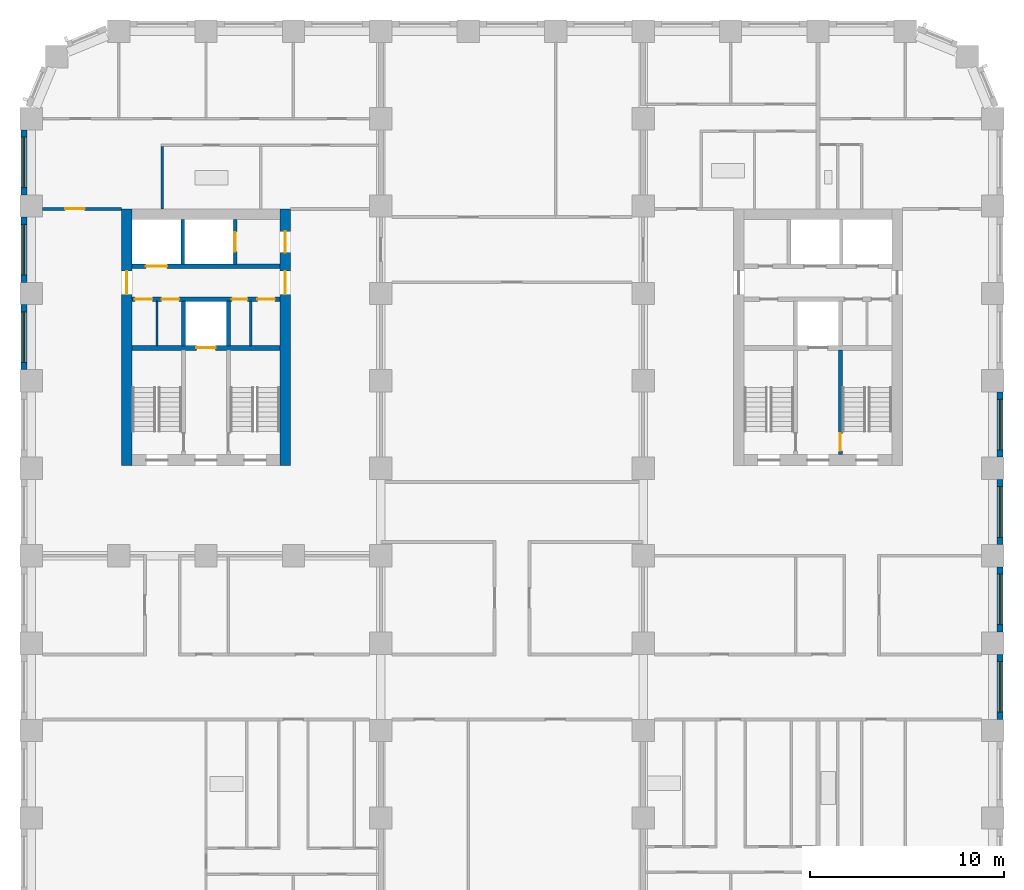
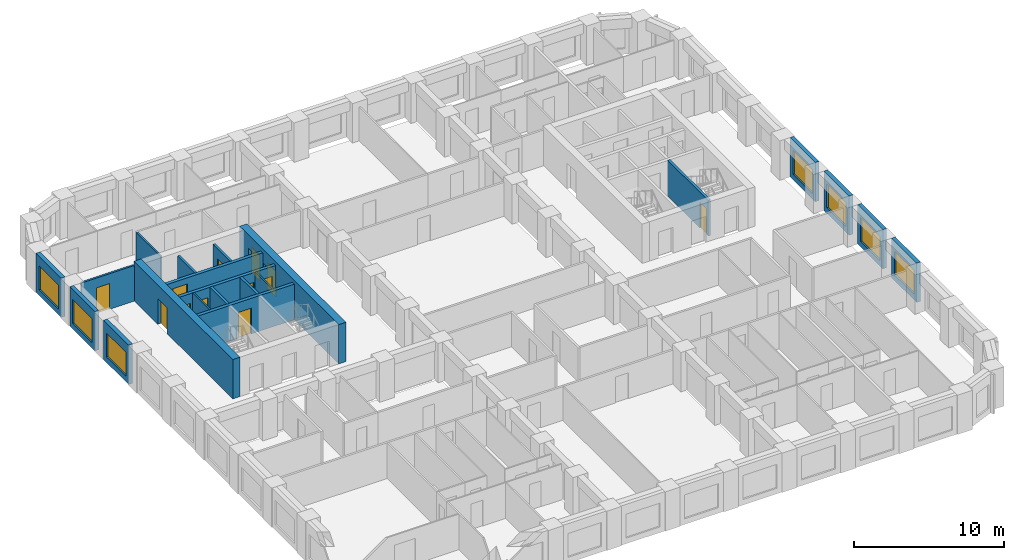
# One storey, part 6 of 12: 21 walls, 12 doors, 7 windows, 19 openings.
"""IFC4 building model written with IfcOpenShell, lengths in metres."""

from ifc_helpers import new_model, si_unit, direction, frame, frame_2d, origin, place, context, subcontext, project, spatial, rectangle, extrude, material, layer, layer_set, type_object, element, fill, save


model = new_model("IFC4")

# Units and contexts
model_context = context("Model", 3, precision=1e-05, world=origin(), true_north=direction((0.0, 1.0)))
body_context = subcontext(model_context, "Body", "Model", "MODEL_VIEW")
ifc_project = project(units=[si_unit("LENGTHUNIT", "METRE"), si_unit("AREAUNIT", "SQUARE_METRE"), si_unit("VOLUMEUNIT", "CUBIC_METRE"), si_unit("PLANEANGLEUNIT", "RADIAN"), si_unit("MASSUNIT", "GRAM", prefix="KILO")], contexts=[model_context])

# Site, building, storey
site_placement = place(None, origin())
site = spatial("IfcSite", under=ifc_project, at=site_placement, CompositionType="ELEMENT")
building_placement = place(site_placement, origin())
building = spatial("IfcBuilding", under=site, at=building_placement, Name="Girih Gate Residences", CompositionType="ELEMENT")
storey_placement = place(building_placement, frame((0.0, 0.0, 108.800048828125)))
storey = spatial("IfcBuildingStorey", under=building, at=storey_placement, Name="L30", CompositionType="ELEMENT", Elevation=108.800048828125)

# Wall, opening, door
ifc_material_1 = material(Name="Gypsum board on steel studs", Category="steel")
ifc_layer_1 = layer(ifc_material_1, 0.14990234375)
ifc_layer_set_1 = layer_set([ifc_layer_1], Name="Compartment wall 150 mm")
wall_type_1 = type_object("IfcWallType", Name="Compartment wall 150 mm", PredefinedType="PARTITIONING", material=ifc_layer_set_1)
wall_1_placement = place(storey_placement, frame((0.574951171875, 40.35009765625, 0.0), z_axis=(0.0, 0.0, 1.0), x_axis=(1.0, 0.0, 0.0)))
wall_1 = element("IfcWall", 1, at=wall_1_placement, inside=storey, type_object=wall_type_1, Name="L30 partition", PredefinedType="PARTITIONING", context=body_context, shape_type="SweptSolid", body=[
    extrude(rectangle(XDim=4.074951171875, YDim=0.14990234375, at=frame_2d((2.03759765625, 0.0))), origin(), (0.0, 0.0, 1.0), 2.89990234375),
])
opening_1_placement = place(wall_1_placement, frame((1.175048828125, 0.0, 0.0)))
opening_1 = element("IfcOpeningElement", 2, at=opening_1_placement, cuts=wall_1, Name="Opening A30-016", PredefinedType="OPENING", context=body_context, shape_type="SweptSolid", body=[
    extrude(rectangle(XDim=1.0, YDim=2.10009765625, at=frame_2d((0.5, 1.050048828125))), frame((0.0, 0.0849609375, 0.0), z_axis=(0.0, -1.0, 0.0), x_axis=(1.0, 0.0, 0.0)), (0.0, 0.0, 1.0), 0.169921875),
])
ifc_material_2 = material(Name="Timber, fire-rated core", Category="wood")
door_type_1 = type_object("IfcDoorType", Name="Flat entrance door 1000x2100 FD30S", OperationType="NOTDEFINED", PredefinedType="DOOR", material=ifc_material_2)
door_1_placement = place(opening_1_placement, origin())
door_1 = element("IfcDoor", 3, at=door_1_placement, inside=storey, type_object=door_type_1, Name="Door A30-016", OperationType="SINGLE_SWING_LEFT", OverallHeight=2.10009765625, OverallWidth=1.0, PredefinedType="DOOR", context=body_context, shape_type="SweptSolid", body=[
    extrude(rectangle(XDim=1.0, YDim=2.10009765625, at=frame_2d((0.5, 1.050048828125))), frame((0.0, 0.02490234375, 0.0), z_axis=(0.0, -1.0, 0.0), x_axis=(1.0, 0.0, 0.0)), (0.0, 0.0, 1.0), 0.050048828125),
])
fill(opening_1, door_1)

ifc_material_3 = material(Name="Concrete C60/75", Category="concrete")
ifc_layer_2 = layer(ifc_material_3, 0.550048828125)
ifc_layer_set_2 = layer_set([ifc_layer_2], Name="Core wall RC 550 Concrete C60/75")
wall_type_2 = type_object("IfcWallType", Name="Core wall RC 550 Concrete C60/75", PredefinedType="SOLIDWALL", material=ifc_layer_set_2)
wall_2_placement = place(storey_placement, frame((4.925048828125, 27.14990234375, 0.0), z_axis=(0.0, 0.0, 1.0), x_axis=(0.0, 1.0, 0.0)))
wall_2 = element("IfcWall", 4, at=wall_2_placement, inside=storey, type_object=wall_type_2, Name="Core wall W-W L30", PredefinedType="SOLIDWALL", context=body_context, shape_type="SweptSolid", body=[
    extrude(rectangle(XDim=13.2001953125, YDim=0.550048828125, at=frame_2d((6.60009765625, 0.0))), origin(), (0.0, 0.0, 1.0), 3.199951171875),
])
opening_2_placement = place(wall_2_placement, frame((8.800048828125, 0.0, 0.0)))
opening_2 = element("IfcOpeningElement", 5, at=opening_2_placement, cuts=wall_2, Name="Opening D-L30-W-014", PredefinedType="OPENING", context=body_context, shape_type="SweptSolid", body=[
    extrude(rectangle(XDim=1.199951171875, YDim=2.10009765625, at=frame_2d((0.60009765625, 1.050048828125))), frame((0.0, 0.284912109375, 0.0), z_axis=(0.0, -1.0, 0.0), x_axis=(1.0, 0.0, 0.0)), (0.0, 0.0, 1.0), 0.570068359375),
])
ifc_material_4 = material(Name="Painted steel, fire-resisting", Category="steel")
door_type_2 = type_object("IfcDoorType", Name="Fire door 1200x2100", OperationType="SINGLE_SWING_LEFT", PredefinedType="DOOR", material=ifc_material_4)
door_2_placement = place(opening_2_placement, origin())
door_2 = element("IfcDoor", 6, at=door_2_placement, inside=storey, type_object=door_type_2, Name="L30 W core door ll-w", OperationType="SINGLE_SWING_LEFT", OverallHeight=2.10009765625, OverallWidth=1.199951171875, PredefinedType="DOOR", context=body_context, shape_type="SweptSolid", body=[
    extrude(rectangle(XDim=1.199951171875, YDim=2.10009765625, at=frame_2d((0.60009765625, 1.050048828125))), frame((0.0, 0.02490234375, 0.0), z_axis=(0.0, -1.0, 0.0), x_axis=(1.0, 0.0, 0.0)), (0.0, 0.0, 1.0), 0.050048828125),
])
fill(opening_2, door_2)

# Wall, openings, doors
wall_3_placement = place(storey_placement, frame((13.074951171875, 27.14990234375, 0.0), z_axis=(0.0, 0.0, 1.0), x_axis=(0.0, 1.0, 0.0)))
wall_3 = element("IfcWall", 7, at=wall_3_placement, inside=storey, type_object=wall_type_2, Name="Core wall W-E L30", PredefinedType="SOLIDWALL", context=body_context, shape_type="SweptSolid", body=[
    extrude(rectangle(XDim=13.2001953125, YDim=0.550048828125, at=frame_2d((6.60009765625, 0.0))), origin(), (0.0, 0.0, 1.0), 3.199951171875),
])
opening_3_placement = place(wall_3_placement, frame((10.949951171875, 0.0, 0.0)))
opening_3 = element("IfcOpeningElement", 8, at=opening_3_placement, cuts=wall_3, Name="Opening D-L30-W-013", PredefinedType="OPENING", context=body_context, shape_type="SweptSolid", body=[
    extrude(rectangle(XDim=1.10009765625, YDim=2.10009765625, at=frame_2d((0.550048828125, 1.050048828125))), frame((0.0, 0.284912109375, 0.0), z_axis=(0.0, -1.0, 0.0), x_axis=(1.0, 0.0, 0.0)), (0.0, 0.0, 1.0), 0.570068359375),
])
opening_4_placement = place(wall_3_placement, frame((8.800048828125, 0.0, 0.0)))
opening_4 = element("IfcOpeningElement", 9, at=opening_4_placement, cuts=wall_3, Name="Opening D-L30-W-015", PredefinedType="OPENING", context=body_context, shape_type="SweptSolid", body=[
    extrude(rectangle(XDim=1.199951171875, YDim=2.10009765625, at=frame_2d((0.60009765625, 1.050048828125))), frame((0.0, 0.284912109375, 0.0), z_axis=(0.0, -1.0, 0.0), x_axis=(1.0, 0.0, 0.0)), (0.0, 0.0, 1.0), 0.570068359375),
])
door_type_3 = type_object("IfcDoorType", Name="Fire door 1100x2100", OperationType="SINGLE_SWING_LEFT", PredefinedType="DOOR", material=ifc_material_4)
door_3_placement = place(opening_3_placement, origin())
door_3 = element("IfcDoor", 10, at=door_3_placement, inside=storey, type_object=door_type_3, Name="L30 W core door ffl2-e", OperationType="SINGLE_SWING_LEFT", OverallHeight=2.10009765625, OverallWidth=1.10009765625, PredefinedType="DOOR", context=body_context, shape_type="SweptSolid", body=[
    extrude(rectangle(XDim=1.10009765625, YDim=2.10009765625, at=frame_2d((0.550048828125, 1.050048828125))), frame((0.0, 0.02490234375, 0.0), z_axis=(0.0, -1.0, 0.0), x_axis=(1.0, 0.0, 0.0)), (0.0, 0.0, 1.0), 0.050048828125),
])
fill(opening_3, door_3)
door_4_placement = place(opening_4_placement, origin())
door_4 = element("IfcDoor", 11, at=door_4_placement, inside=storey, type_object=door_type_2, Name="L30 W core door ll-e", OperationType="SINGLE_SWING_LEFT", OverallHeight=2.10009765625, OverallWidth=1.199951171875, PredefinedType="DOOR", context=body_context, shape_type="SweptSolid", body=[
    extrude(rectangle(XDim=1.199951171875, YDim=2.10009765625, at=frame_2d((0.60009765625, 1.050048828125))), frame((0.0, 0.02490234375, 0.0), z_axis=(0.0, -1.0, 0.0), x_axis=(1.0, 0.0, 0.0)), (0.0, 0.0, 1.0), 0.050048828125),
])
fill(opening_4, door_4)

# Wall, opening, door
ifc_material_5 = material(Name="Concrete C40/50", Category="concrete")
ifc_layer_3 = layer(ifc_material_5, 0.25)
ifc_layer_set_3 = layer_set([ifc_layer_3], Name="Lift shaft wall 250")
wall_type_3 = type_object("IfcWallType", Name="Lift shaft wall 250", PredefinedType="SOLIDWALL", material=ifc_layer_set_3)
wall_4_placement = place(storey_placement, frame((5.199951171875, 33.199951171875, 0.0), z_axis=(0.0, 0.0, 1.0), x_axis=(1.0, 0.0, 0.0)))
wall_4 = element("IfcWall", 12, at=wall_4_placement, inside=storey, type_object=wall_type_3, Name="L30 W core wall H1", PredefinedType="SOLIDWALL", context=body_context, shape_type="SweptSolid", body=[
    extrude(rectangle(XDim=7.60009765625, YDim=0.25, at=frame_2d((3.800048828125, 0.0))), origin(), (0.0, 0.0, 1.0), 2.89990234375),
])
opening_5_placement = place(wall_4_placement, frame((3.300048828125, 0.0, 0.0)))
opening_5 = element("IfcOpeningElement", 13, at=opening_5_placement, cuts=wall_4, Name="Opening D-L30-W-005", PredefinedType="OPENING", context=body_context, shape_type="SweptSolid", body=[
    extrude(rectangle(XDim=1.0, YDim=2.10009765625, at=frame_2d((0.5, 1.050048828125))), frame((0.0, 0.135009765625, 0.0), z_axis=(0.0, -1.0, 0.0), x_axis=(1.0, 0.0, 0.0)), (0.0, 0.0, 1.0), 0.27001953125),
])
ifc_material_6 = material(Name="Stainless steel, fire-resisting", Category="steel")
door_type_4 = type_object("IfcDoorType", Name="Firefighting lift landing door 1000x2100", OperationType="SLIDING_TO_LEFT", PredefinedType="DOOR", material=ifc_material_6)
door_5_placement = place(opening_5_placement, origin())
door_5 = element("IfcDoor", 14, at=door_5_placement, inside=storey, type_object=door_type_4, Name="L30 lift FF-W landing door", OperationType="SLIDING_TO_LEFT", OverallHeight=2.10009765625, OverallWidth=1.0, PredefinedType="DOOR", context=body_context, shape_type="SweptSolid", body=[
    extrude(rectangle(XDim=1.0, YDim=2.10009765625, at=frame_2d((0.5, 1.050048828125))), frame((0.0, 0.02490234375, 0.0), z_axis=(0.0, -1.0, 0.0), x_axis=(1.0, 0.0, 0.0)), (0.0, 0.0, 1.0), 0.050048828125),
])
fill(opening_5, door_5)

# Wall, openings, doors
wall_5_placement = place(storey_placement, frame((5.199951171875, 35.699951171875, 0.0), z_axis=(0.0, 0.0, 1.0), x_axis=(1.0, 0.0, 0.0)))
wall_5 = element("IfcWall", 15, at=wall_5_placement, inside=storey, type_object=wall_type_3, Name="L30 W core wall H2", PredefinedType="SOLIDWALL", context=body_context, shape_type="SweptSolid", body=[
    extrude(rectangle(XDim=7.60009765625, YDim=0.25, at=frame_2d((3.800048828125, 0.0))), origin(), (0.0, 0.0, 1.0), 2.89990234375),
])
opening_6_placement = place(wall_5_placement, frame((0.137451171875, 0.0, 0.0)))
opening_6 = element("IfcOpeningElement", 16, at=opening_6_placement, cuts=wall_5, Name="Opening D-L30-W-006", PredefinedType="OPENING", context=body_context, shape_type="SweptSolid", body=[
    extrude(rectangle(XDim=0.89990234375, YDim=2.10009765625, at=frame_2d((0.449951171875, 1.050048828125))), frame((0.0, 0.135009765625, 0.0), z_axis=(0.0, -1.0, 0.0), x_axis=(1.0, 0.0, 0.0)), (0.0, 0.0, 1.0), 0.27001953125),
])
opening_7_placement = place(wall_5_placement, frame((1.512451171875, 0.0, 0.0)))
opening_7 = element("IfcOpeningElement", 17, at=opening_7_placement, cuts=wall_5, Name="Opening D-L30-W-007", PredefinedType="OPENING", context=body_context, shape_type="SweptSolid", body=[
    extrude(rectangle(XDim=0.89990234375, YDim=2.10009765625, at=frame_2d((0.449951171875, 1.050048828125))), frame((0.0, 0.135009765625, 0.0), z_axis=(0.0, -1.0, 0.0), x_axis=(1.0, 0.0, 0.0)), (0.0, 0.0, 1.0), 0.27001953125),
])
opening_8_placement = place(wall_5_placement, frame((5.125, 0.0, 0.0)))
opening_8 = element("IfcOpeningElement", 18, at=opening_8_placement, cuts=wall_5, Name="Opening D-L30-W-008", PredefinedType="OPENING", context=body_context, shape_type="SweptSolid", body=[
    extrude(rectangle(XDim=0.800048828125, YDim=2.10009765625, at=frame_2d((0.39990234375, 1.050048828125))), frame((0.0, 0.135009765625, 0.0), z_axis=(0.0, -1.0, 0.0), x_axis=(1.0, 0.0, 0.0)), (0.0, 0.0, 1.0), 0.27001953125),
])
opening_9_placement = place(wall_5_placement, frame((6.449951171875, 0.0, 0.0)))
opening_9 = element("IfcOpeningElement", 19, at=opening_9_placement, cuts=wall_5, Name="Opening D-L30-W-009", PredefinedType="OPENING", context=body_context, shape_type="SweptSolid", body=[
    extrude(rectangle(XDim=0.89990234375, YDim=2.10009765625, at=frame_2d((0.449951171875, 1.050048828125))), frame((0.0, 0.135009765625, 0.0), z_axis=(0.0, -1.0, 0.0), x_axis=(1.0, 0.0, 0.0)), (0.0, 0.0, 1.0), 0.27001953125),
])
door_type_5 = type_object("IfcDoorType", Name="Fire door 800x2100", OperationType="SINGLE_SWING_LEFT", PredefinedType="DOOR", material=ifc_material_4)
door_6_placement = place(opening_8_placement, origin())
door_6 = element("IfcDoor", 20, at=door_6_placement, inside=storey, type_object=door_type_5, Name="L30 W comms room door", OperationType="SINGLE_SWING_LEFT", OverallHeight=2.10009765625, OverallWidth=0.800048828125, PredefinedType="DOOR", context=body_context, shape_type="SweptSolid", body=[
    extrude(rectangle(XDim=0.800048828125, YDim=2.10009765625, at=frame_2d((0.39990234375, 1.050048828125))), frame((0.0, 0.02490234375, 0.0), z_axis=(0.0, -1.0, 0.0), x_axis=(1.0, 0.0, 0.0)), (0.0, 0.0, 1.0), 0.050048828125),
])
fill(opening_8, door_6)
door_type_6 = type_object("IfcDoorType", Name="Fire door 900x2100", OperationType="SINGLE_SWING_LEFT", PredefinedType="DOOR", material=ifc_material_4)
door_7_placement = place(opening_6_placement, origin())
door_7 = element("IfcDoor", 21, at=door_7_placement, inside=storey, type_object=door_type_6, Name="L30 W linen store door", OperationType="SINGLE_SWING_LEFT", OverallHeight=2.10009765625, OverallWidth=0.89990234375, PredefinedType="DOOR", context=body_context, shape_type="SweptSolid", body=[
    extrude(rectangle(XDim=0.89990234375, YDim=2.10009765625, at=frame_2d((0.449951171875, 1.050048828125))), frame((0.0, 0.02490234375, 0.0), z_axis=(0.0, -1.0, 0.0), x_axis=(1.0, 0.0, 0.0)), (0.0, 0.0, 1.0), 0.050048828125),
])
fill(opening_6, door_7)
door_8_placement = place(opening_7_placement, origin())
door_8 = element("IfcDoor", 22, at=door_8_placement, inside=storey, type_object=door_type_6, Name="L30 W housekeeping store door", OperationType="SINGLE_SWING_LEFT", OverallHeight=2.10009765625, OverallWidth=0.89990234375, PredefinedType="DOOR", context=body_context, shape_type="SweptSolid", body=[
    extrude(rectangle(XDim=0.89990234375, YDim=2.10009765625, at=frame_2d((0.449951171875, 1.050048828125))), frame((0.0, 0.02490234375, 0.0), z_axis=(0.0, -1.0, 0.0), x_axis=(1.0, 0.0, 0.0)), (0.0, 0.0, 1.0), 0.050048828125),
])
fill(opening_7, door_8)
door_9_placement = place(opening_9_placement, origin())
door_9 = element("IfcDoor", 23, at=door_9_placement, inside=storey, type_object=door_type_6, Name="L30 W linen store door", OperationType="SINGLE_SWING_LEFT", OverallHeight=2.10009765625, OverallWidth=0.89990234375, PredefinedType="DOOR", context=body_context, shape_type="SweptSolid", body=[
    extrude(rectangle(XDim=0.89990234375, YDim=2.10009765625, at=frame_2d((0.449951171875, 1.050048828125))), frame((0.0, 0.02490234375, 0.0), z_axis=(0.0, -1.0, 0.0), x_axis=(1.0, 0.0, 0.0)), (0.0, 0.0, 1.0), 0.050048828125),
])
fill(opening_9, door_9)

# Wall, opening, door
wall_6_placement = place(storey_placement, frame((5.199951171875, 37.39990234375, 0.0), z_axis=(0.0, 0.0, 1.0), x_axis=(1.0, 0.0, 0.0)))
wall_6 = element("IfcWall", 24, at=wall_6_placement, inside=storey, type_object=wall_type_3, Name="L30 W core wall H3", PredefinedType="SOLIDWALL", context=body_context, shape_type="SweptSolid", body=[
    extrude(rectangle(XDim=7.60009765625, YDim=0.25, at=frame_2d((3.800048828125, 0.0))), origin(), (0.0, 0.0, 1.0), 2.89990234375),
])
opening_10_placement = place(wall_6_placement, frame((0.699951171875, 0.0, 0.0)))
opening_10 = element("IfcOpeningElement", 25, at=opening_10_placement, cuts=wall_6, Name="Opening D-L30-W-003", PredefinedType="OPENING", context=body_context, shape_type="SweptSolid", body=[
    extrude(rectangle(XDim=1.10009765625, YDim=2.39990234375, at=frame_2d((0.550048828125, 1.199951171875))), frame((0.0, 0.135009765625, 0.0), z_axis=(0.0, -1.0, 0.0), x_axis=(1.0, 0.0, 0.0)), (0.0, 0.0, 1.0), 0.27001953125),
])
ifc_material_7 = material(Name="Stainless steel", Category="steel")
door_type_7 = type_object("IfcDoorType", Name="Lift landing door 1100x2400", OperationType="SLIDING_TO_LEFT", PredefinedType="DOOR", material=ifc_material_7)
door_10_placement = place(opening_10_placement, origin())
door_10 = element("IfcDoor", 26, at=door_10_placement, inside=storey, type_object=door_type_7, Name="L30 lift LR-W1 landing door", OperationType="SLIDING_TO_LEFT", OverallHeight=2.39990234375, OverallWidth=1.10009765625, PredefinedType="DOOR", context=body_context, shape_type="SweptSolid", body=[
    extrude(rectangle(XDim=1.10009765625, YDim=2.39990234375, at=frame_2d((0.550048828125, 1.199951171875))), frame((0.0, 0.02490234375, 0.0), z_axis=(0.0, -1.0, 0.0), x_axis=(1.0, 0.0, 0.0)), (0.0, 0.0, 1.0), 0.050048828125),
])
fill(opening_10, door_10)

# Wall, opening, window
ifc_material_8 = material(Name="Precast concrete C50/60", Category="concrete")
ifc_layer_4 = layer(ifc_material_8, 0.080078125, Name="Outer leaf")
ifc_material_9 = material(Name="Rigid PIR insulation")
ifc_layer_5 = layer(ifc_material_9, 0.14990234375, Name="Insulation")
ifc_material_10 = material(Name="Precast concrete C40/50", Category="concrete")
ifc_layer_6 = layer(ifc_material_10, 0.070068359375, Name="Inner leaf")
ifc_layer_set_4 = layer_set([ifc_layer_4, ifc_layer_5, ifc_layer_6], Name="Precast concrete C50/60 external wall 300")
wall_type_4 = type_object("IfcWallType", Name="Precast concrete C50/60 external wall 300", PredefinedType="SOLIDWALL", material=ifc_layer_set_4)
wall_7_placement = place(storey_placement, frame((49.875, 17.425048828125, 0.0), z_axis=(0.0, 0.0, 1.0), x_axis=(0.0, -1.0, 0.0)))
wall_7 = element("IfcWall", 27, at=wall_7_placement, inside=storey, type_object=wall_type_4, Name="External wall E0495_0045.2", PredefinedType="SOLIDWALL", context=body_context, shape_type="SweptSolid", body=[
    extrude(rectangle(XDim=3.35009765625, YDim=0.300048828125, at=frame_2d((1.675048828125, 0.0))), origin(), (0.0, 0.0, 1.0), 3.199951171875),
])
opening_11_placement = place(wall_7_placement, frame((0.375, 0.0, 0.449951171875)))
opening_11 = element("IfcOpeningElement", 28, at=opening_11_placement, cuts=wall_7, Name="Opening W-1A", PredefinedType="OPENING", context=body_context, shape_type="SweptSolid", body=[
    extrude(rectangle(XDim=2.60009765625, YDim=1.949951171875, at=frame_2d((1.300048828125, 0.97509765625))), frame((0.0, 0.159912109375, 0.0), z_axis=(0.0, -1.0, 0.0), x_axis=(1.0, 0.0, 0.0)), (0.0, 0.0, 1.0), 0.320068359375),
])
ifc_material_11 = material(Name="Double glazing in aluminium frame", Category="aluminium")
window_type = type_object("IfcWindowType", Name="Window W-1A 2600x1950", PartitioningType="SINGLE_PANEL", PredefinedType="WINDOW", material=ifc_material_11)
window_1_placement = place(opening_11_placement, origin())
window_1 = element("IfcWindow", 29, at=window_1_placement, inside=storey, type_object=window_type, Name="Window W-1A E0495_0045.2", OverallHeight=1.949951171875, OverallWidth=2.60009765625, PartitioningType="SINGLE_PANEL", PredefinedType="WINDOW", context=body_context, shape_type="SweptSolid", body=[
    extrude(rectangle(XDim=2.60009765625, YDim=1.949951171875, at=frame_2d((1.300048828125, 0.97509765625))), frame((0.0, 0.030029296875, 0.0), z_axis=(0.0, -1.0, 0.0), x_axis=(1.0, 0.0, 0.0)), (0.0, 0.0, 1.0), 0.06005859375),
])
fill(opening_11, window_1)

wall_8_placement = place(storey_placement, frame((49.875, 21.925048828125, 0.0), z_axis=(0.0, 0.0, 1.0), x_axis=(0.0, -1.0, 0.0)))
wall_8 = element("IfcWall", 30, at=wall_8_placement, inside=storey, type_object=wall_type_4, Name="External wall E0495_0045.3", PredefinedType="SOLIDWALL", context=body_context, shape_type="SweptSolid", body=[
    extrude(rectangle(XDim=3.35009765625, YDim=0.300048828125, at=frame_2d((1.675048828125, 0.0))), origin(), (0.0, 0.0, 1.0), 3.199951171875),
])
opening_12_placement = place(wall_8_placement, frame((0.375, 0.0, 0.449951171875)))
opening_12 = element("IfcOpeningElement", 31, at=opening_12_placement, cuts=wall_8, Name="Opening W-1A", PredefinedType="OPENING", context=body_context, shape_type="SweptSolid", body=[
    extrude(rectangle(XDim=2.60009765625, YDim=1.949951171875, at=frame_2d((1.300048828125, 0.97509765625))), frame((0.0, 0.159912109375, 0.0), z_axis=(0.0, -1.0, 0.0), x_axis=(1.0, 0.0, 0.0)), (0.0, 0.0, 1.0), 0.320068359375),
])
window_2_placement = place(opening_12_placement, origin())
window_2 = element("IfcWindow", 32, at=window_2_placement, inside=storey, type_object=window_type, Name="Window W-1A E0495_0045.3", OverallHeight=1.949951171875, OverallWidth=2.60009765625, PartitioningType="SINGLE_PANEL", PredefinedType="WINDOW", context=body_context, shape_type="SweptSolid", body=[
    extrude(rectangle(XDim=2.60009765625, YDim=1.949951171875, at=frame_2d((1.300048828125, 0.97509765625))), frame((0.0, 0.030029296875, 0.0), z_axis=(0.0, -1.0, 0.0), x_axis=(1.0, 0.0, 0.0)), (0.0, 0.0, 1.0), 0.06005859375),
])
fill(opening_12, window_2)

wall_9_placement = place(storey_placement, frame((49.875, 26.425048828125, 0.0), z_axis=(0.0, 0.0, 1.0), x_axis=(0.0, -1.0, 0.0)))
wall_9 = element("IfcWall", 33, at=wall_9_placement, inside=storey, type_object=wall_type_4, Name="External wall E0495_0045.4", PredefinedType="SOLIDWALL", context=body_context, shape_type="SweptSolid", body=[
    extrude(rectangle(XDim=3.35009765625, YDim=0.300048828125, at=frame_2d((1.675048828125, 0.0))), origin(), (0.0, 0.0, 1.0), 3.199951171875),
])
opening_13_placement = place(wall_9_placement, frame((0.375, 0.0, 0.449951171875)))
opening_13 = element("IfcOpeningElement", 34, at=opening_13_placement, cuts=wall_9, Name="Opening W-1A", PredefinedType="OPENING", context=body_context, shape_type="SweptSolid", body=[
    extrude(rectangle(XDim=2.60009765625, YDim=1.949951171875, at=frame_2d((1.300048828125, 0.97509765625))), frame((0.0, 0.159912109375, 0.0), z_axis=(0.0, -1.0, 0.0), x_axis=(1.0, 0.0, 0.0)), (0.0, 0.0, 1.0), 0.320068359375),
])
window_3_placement = place(opening_13_placement, origin())
window_3 = element("IfcWindow", 35, at=window_3_placement, inside=storey, type_object=window_type, Name="Window W-1A E0495_0045.4", OverallHeight=1.949951171875, OverallWidth=2.60009765625, PartitioningType="SINGLE_PANEL", PredefinedType="WINDOW", context=body_context, shape_type="SweptSolid", body=[
    extrude(rectangle(XDim=2.60009765625, YDim=1.949951171875, at=frame_2d((1.300048828125, 0.97509765625))), frame((0.0, 0.030029296875, 0.0), z_axis=(0.0, -1.0, 0.0), x_axis=(1.0, 0.0, 0.0)), (0.0, 0.0, 1.0), 0.06005859375),
])
fill(opening_13, window_3)

wall_10_placement = place(storey_placement, frame((49.875, 30.925048828125, 0.0), z_axis=(0.0, 0.0, 1.0), x_axis=(0.0, -1.0, 0.0)))
wall_10 = element("IfcWall", 36, at=wall_10_placement, inside=storey, type_object=wall_type_4, Name="External wall E0495_0045.5", PredefinedType="SOLIDWALL", context=body_context, shape_type="SweptSolid", body=[
    extrude(rectangle(XDim=3.35009765625, YDim=0.300048828125, at=frame_2d((1.675048828125, 0.0))), origin(), (0.0, 0.0, 1.0), 3.199951171875),
])
opening_14_placement = place(wall_10_placement, frame((0.375, 0.0, 0.449951171875)))
opening_14 = element("IfcOpeningElement", 37, at=opening_14_placement, cuts=wall_10, Name="Opening W-1A", PredefinedType="OPENING", context=body_context, shape_type="SweptSolid", body=[
    extrude(rectangle(XDim=2.60009765625, YDim=1.949951171875, at=frame_2d((1.300048828125, 0.97509765625))), frame((0.0, 0.159912109375, 0.0), z_axis=(0.0, -1.0, 0.0), x_axis=(1.0, 0.0, 0.0)), (0.0, 0.0, 1.0), 0.320068359375),
])
window_4_placement = place(opening_14_placement, origin())
window_4 = element("IfcWindow", 38, at=window_4_placement, inside=storey, type_object=window_type, Name="Window W-1A E0495_0045.5", OverallHeight=1.949951171875, OverallWidth=2.60009765625, PartitioningType="SINGLE_PANEL", PredefinedType="WINDOW", context=body_context, shape_type="SweptSolid", body=[
    extrude(rectangle(XDim=2.60009765625, YDim=1.949951171875, at=frame_2d((1.300048828125, 0.97509765625))), frame((0.0, 0.030029296875, 0.0), z_axis=(0.0, -1.0, 0.0), x_axis=(1.0, 0.0, 0.0)), (0.0, 0.0, 1.0), 0.06005859375),
])
fill(opening_14, window_4)

wall_11_placement = place(storey_placement, frame((-0.375, 41.074951171875, 0.0), z_axis=(0.0, 0.0, 1.0), x_axis=(0.0, 1.0, 0.0)))
wall_11 = element("IfcWall", 39, at=wall_11_placement, inside=storey, type_object=wall_type_4, Name="External wall W0000_0450.0", PredefinedType="SOLIDWALL", context=body_context, shape_type="SweptSolid", body=[
    extrude(rectangle(XDim=3.35009765625, YDim=0.300048828125, at=frame_2d((1.675048828125, 0.0))), origin(), (0.0, 0.0, 1.0), 3.199951171875),
])
opening_15_placement = place(wall_11_placement, frame((0.375, 0.0, 0.449951171875)))
opening_15 = element("IfcOpeningElement", 40, at=opening_15_placement, cuts=wall_11, Name="Opening W-1A", PredefinedType="OPENING", context=body_context, shape_type="SweptSolid", body=[
    extrude(rectangle(XDim=2.60009765625, YDim=1.949951171875, at=frame_2d((1.300048828125, 0.97509765625))), frame((0.0, 0.159912109375, 0.0), z_axis=(0.0, -1.0, 0.0), x_axis=(1.0, 0.0, 0.0)), (0.0, 0.0, 1.0), 0.320068359375),
])
window_5_placement = place(opening_15_placement, origin())
window_5 = element("IfcWindow", 41, at=window_5_placement, inside=storey, type_object=window_type, Name="Window W-1A W0000_0450.0", OverallHeight=1.949951171875, OverallWidth=2.60009765625, PartitioningType="SINGLE_PANEL", PredefinedType="WINDOW", context=body_context, shape_type="SweptSolid", body=[
    extrude(rectangle(XDim=2.60009765625, YDim=1.949951171875, at=frame_2d((1.300048828125, 0.97509765625))), frame((0.0, 0.030029296875, 0.0), z_axis=(0.0, -1.0, 0.0), x_axis=(1.0, 0.0, 0.0)), (0.0, 0.0, 1.0), 0.06005859375),
])
fill(opening_15, window_5)

wall_12_placement = place(storey_placement, frame((-0.375, 36.574951171875, 0.0), z_axis=(0.0, 0.0, 1.0), x_axis=(0.0, 1.0, 0.0)))
wall_12 = element("IfcWall", 42, at=wall_12_placement, inside=storey, type_object=wall_type_4, Name="External wall W0000_0450.1", PredefinedType="SOLIDWALL", context=body_context, shape_type="SweptSolid", body=[
    extrude(rectangle(XDim=3.35009765625, YDim=0.300048828125, at=frame_2d((1.675048828125, 0.0))), origin(), (0.0, 0.0, 1.0), 3.199951171875),
])
opening_16_placement = place(wall_12_placement, frame((0.375, 0.0, 0.449951171875)))
opening_16 = element("IfcOpeningElement", 43, at=opening_16_placement, cuts=wall_12, Name="Opening W-1A", PredefinedType="OPENING", context=body_context, shape_type="SweptSolid", body=[
    extrude(rectangle(XDim=2.60009765625, YDim=1.949951171875, at=frame_2d((1.300048828125, 0.97509765625))), frame((0.0, 0.159912109375, 0.0), z_axis=(0.0, -1.0, 0.0), x_axis=(1.0, 0.0, 0.0)), (0.0, 0.0, 1.0), 0.320068359375),
])
window_6_placement = place(opening_16_placement, origin())
window_6 = element("IfcWindow", 44, at=window_6_placement, inside=storey, type_object=window_type, Name="Window W-1A W0000_0450.1", OverallHeight=1.949951171875, OverallWidth=2.60009765625, PartitioningType="SINGLE_PANEL", PredefinedType="WINDOW", context=body_context, shape_type="SweptSolid", body=[
    extrude(rectangle(XDim=2.60009765625, YDim=1.949951171875, at=frame_2d((1.300048828125, 0.97509765625))), frame((0.0, 0.030029296875, 0.0), z_axis=(0.0, -1.0, 0.0), x_axis=(1.0, 0.0, 0.0)), (0.0, 0.0, 1.0), 0.06005859375),
])
fill(opening_16, window_6)

wall_13_placement = place(storey_placement, frame((-0.375, 32.074951171875, 0.0), z_axis=(0.0, 0.0, 1.0), x_axis=(0.0, 1.0, 0.0)))
wall_13 = element("IfcWall", 45, at=wall_13_placement, inside=storey, type_object=wall_type_4, Name="External wall W0000_0450.2", PredefinedType="SOLIDWALL", context=body_context, shape_type="SweptSolid", body=[
    extrude(rectangle(XDim=3.35009765625, YDim=0.300048828125, at=frame_2d((1.675048828125, 0.0))), origin(), (0.0, 0.0, 1.0), 3.199951171875),
])
opening_17_placement = place(wall_13_placement, frame((0.375, 0.0, 0.449951171875)))
opening_17 = element("IfcOpeningElement", 46, at=opening_17_placement, cuts=wall_13, Name="Opening W-1A", PredefinedType="OPENING", context=body_context, shape_type="SweptSolid", body=[
    extrude(rectangle(XDim=2.60009765625, YDim=1.949951171875, at=frame_2d((1.300048828125, 0.97509765625))), frame((0.0, 0.159912109375, 0.0), z_axis=(0.0, -1.0, 0.0), x_axis=(1.0, 0.0, 0.0)), (0.0, 0.0, 1.0), 0.320068359375),
])
window_7_placement = place(opening_17_placement, origin())
window_7 = element("IfcWindow", 47, at=window_7_placement, inside=storey, type_object=window_type, Name="Window W-1A W0000_0450.2", OverallHeight=1.949951171875, OverallWidth=2.60009765625, PartitioningType="SINGLE_PANEL", PredefinedType="WINDOW", context=body_context, shape_type="SweptSolid", body=[
    extrude(rectangle(XDim=2.60009765625, YDim=1.949951171875, at=frame_2d((1.300048828125, 0.97509765625))), frame((0.0, 0.030029296875, 0.0), z_axis=(0.0, -1.0, 0.0), x_axis=(1.0, 0.0, 0.0)), (0.0, 0.0, 1.0), 0.06005859375),
])
fill(opening_17, window_7)

# Wall
ifc_layer_7 = layer(ifc_material_5, 0.175048828125)
ifc_layer_set_5 = layer_set([ifc_layer_7], Name="Riser shaft wall 175")
wall_type_5 = type_object("IfcWallType", Name="Riser shaft wall 175", PredefinedType="SOLIDWALL", material=ifc_layer_set_5)
wall_14_placement = place(storey_placement, frame((7.800048828125, 37.5, 0.0), z_axis=(0.0, 0.0, 1.0), x_axis=(0.0, 1.0, 0.0)))
element("IfcWall", 48, at=wall_14_placement, inside=storey, type_object=wall_type_5, Name="L30 W core wall V1c", PredefinedType="SOLIDWALL", context=body_context, shape_type="SweptSolid", body=[
    extrude(rectangle(XDim=2.300048828125, YDim=0.175048828125, at=frame_2d((1.14990234375, 0.0))), origin(), (0.0, 0.0, 1.0), 2.89990234375),
])

# Wall, opening, door
wall_15_placement = place(storey_placement, frame((10.5, 37.5, 0.0), z_axis=(0.0, 0.0, 1.0), x_axis=(0.0, 1.0, 0.0)))
wall_15 = element("IfcWall", 49, at=wall_15_placement, inside=storey, type_object=wall_type_5, Name="L30 W core wall V2c", PredefinedType="SOLIDWALL", context=body_context, shape_type="SweptSolid", body=[
    extrude(rectangle(XDim=2.300048828125, YDim=0.175048828125, at=frame_2d((1.14990234375, 0.0))), origin(), (0.0, 0.0, 1.0), 2.89990234375),
])
opening_18_placement = place(wall_15_placement, frame((0.64990234375, 0.0, 0.0)))
opening_18 = element("IfcOpeningElement", 50, at=opening_18_placement, cuts=wall_15, Name="Opening D-L30-W-004", PredefinedType="OPENING", context=body_context, shape_type="SweptSolid", body=[
    extrude(rectangle(XDim=1.0, YDim=2.10009765625, at=frame_2d((0.5, 1.050048828125))), frame((0.0, 0.097412109375, 0.0), z_axis=(0.0, -1.0, 0.0), x_axis=(1.0, 0.0, 0.0)), (0.0, 0.0, 1.0), 0.195068359375),
])
door_11_placement = place(opening_18_placement, origin())
door_11 = element("IfcDoor", 51, at=door_11_placement, inside=storey, type_object=door_type_4, Name="L30 lift FF-W2 landing door", OperationType="SLIDING_TO_LEFT", OverallHeight=2.10009765625, OverallWidth=1.0, PredefinedType="DOOR", context=body_context, shape_type="SweptSolid", body=[
    extrude(rectangle(XDim=1.0, YDim=2.10009765625, at=frame_2d((0.5, 1.050048828125))), frame((0.0, 0.02490234375, 0.0), z_axis=(0.0, -1.0, 0.0), x_axis=(1.0, 0.0, 0.0)), (0.0, 0.0, 1.0), 0.050048828125),
])
fill(opening_18, door_11)

# Walls
ifc_layer_8 = layer(ifc_material_5, 0.199951171875)
ifc_layer_set_6 = layer_set([ifc_layer_8], Name="Shaft wall 200")
wall_type_6 = type_object("IfcWallType", Name="Shaft wall 200", PredefinedType="SOLIDWALL", material=ifc_layer_set_6)
for number, where, z_axis, x_axis, name in (
    (52, (7.85009765625, 33.300048828125, 0.0), (0.0, 0.0, 1.0), (0.0, 1.0, 0.0), "L30 W core wall V1b"),
    (53, (10.14990234375, 33.300048828125, 0.0), (0.0, 0.0, 1.0), (0.0, 1.0, 0.0), "L30 W core wall V2b"),
):
    element("IfcWall", number, at=place(storey_placement, frame(where, z_axis=z_axis, x_axis=x_axis)), inside=storey, type_object=wall_type_6, Name=name, PredefinedType="SOLIDWALL", context=body_context, shape_type="SweptSolid", body=[
        extrude(rectangle(XDim=2.300048828125, YDim=0.199951171875, at=frame_2d((1.14990234375, 0.0))), origin(), (0.0, 0.0, 1.0), 2.89990234375),
    ])

# Wall, opening, door
wall_16_placement = place(storey_placement, frame((41.64990234375, 27.699951171875, 0.0), z_axis=(0.0, 0.0, 1.0), x_axis=(0.0, 1.0, 0.0)))
wall_16 = element("IfcWall", 54, at=wall_16_placement, inside=storey, type_object=wall_type_6, Name="L30 E core wall V1a", PredefinedType="SOLIDWALL", context=body_context, shape_type="SweptSolid", body=[
    extrude(rectangle(XDim=5.400146484375, YDim=0.199951171875, at=frame_2d((2.7001953125, 0.0))), origin(), (0.0, 0.0, 1.0), 2.89990234375),
])
opening_19_placement = place(wall_16_placement, frame((0.199951171875, 0.0, 0.0)))
opening_19 = element("IfcOpeningElement", 55, at=opening_19_placement, cuts=wall_16, Name="Opening D-L30-E-001", PredefinedType="OPENING", context=body_context, shape_type="SweptSolid", body=[
    extrude(rectangle(XDim=0.89990234375, YDim=2.10009765625, at=frame_2d((0.449951171875, 1.050048828125))), frame((0.0, 0.10986328125, 0.0), z_axis=(0.0, -1.0, 0.0), x_axis=(1.0, 0.0, 0.0)), (0.0, 0.0, 1.0), 0.219970703125),
])
door_12_placement = place(opening_19_placement, origin())
door_12 = element("IfcDoor", 56, at=door_12_placement, inside=storey, type_object=door_type_6, Name="L30 E door stair 1 to firefighting lobby", OperationType="SINGLE_SWING_LEFT", OverallHeight=2.10009765625, OverallWidth=0.89990234375, PredefinedType="DOOR", context=body_context, shape_type="SweptSolid", body=[
    extrude(rectangle(XDim=0.89990234375, YDim=2.10009765625, at=frame_2d((0.449951171875, 1.050048828125))), frame((0.0, 0.02490234375, 0.0), z_axis=(0.0, -1.0, 0.0), x_axis=(1.0, 0.0, 0.0)), (0.0, 0.0, 1.0), 0.050048828125),
])
fill(opening_19, door_12)

# Walls
ifc_material_12 = material(Name="Calcium silicate blockwork", Category="masonry")
ifc_layer_9 = layer(ifc_material_12, 0.125)
ifc_layer_set_7 = layer_set([ifc_layer_9], Name="Store partition 125")
wall_type_7 = type_object("IfcWallType", Name="Store partition 125", PredefinedType="PARTITIONING", material=ifc_layer_set_7)
for number, where, z_axis, x_axis, name in (
    (57, (6.47509765625, 33.300048828125, 0.0), (0.0, 0.0, 1.0), (0.0, 1.0, 0.0), "L30 W core wall SHR1"),
    (58, (11.300048828125, 33.300048828125, 0.0), (0.0, 0.0, 1.0), (0.0, 1.0, 0.0), "L30 W core wall SHR2"),
):
    element("IfcWall", number, at=place(storey_placement, frame(where, z_axis=z_axis, x_axis=x_axis)), inside=storey, type_object=wall_type_7, Name=name, PredefinedType="PARTITIONING", context=body_context, shape_type="SweptSolid", body=[
        extrude(rectangle(XDim=2.300048828125, YDim=0.125, at=frame_2d((1.14990234375, 0.0))), origin(), (0.0, 0.0, 1.0), 2.89990234375),
    ])
ifc_layer_10 = layer(ifc_material_1, 0.125)
ifc_layer_set_8 = layer_set([ifc_layer_10], Name="Wet room wall 125 mm")
wall_type_8 = type_object("IfcWallType", Name="Wet room wall 125 mm", PredefinedType="PARTITIONING", material=ifc_layer_set_8)
wall_17_placement = place(storey_placement, frame((6.75, 40.35009765625, 0.0), z_axis=(0.0, 0.0, 1.0), x_axis=(0.0, 1.0, 0.0)))
element("IfcWall", 59, at=wall_17_placement, inside=storey, type_object=wall_type_8, Name="L30 partition", PredefinedType="PARTITIONING", context=body_context, shape_type="SweptSolid", body=[
    extrude(rectangle(XDim=3.20751953125, YDim=0.125, at=frame_2d((1.603759765625, 0.0))), origin(), (0.0, 0.0, 1.0), 2.89990234375),
])

save(model, "model.ifc")
